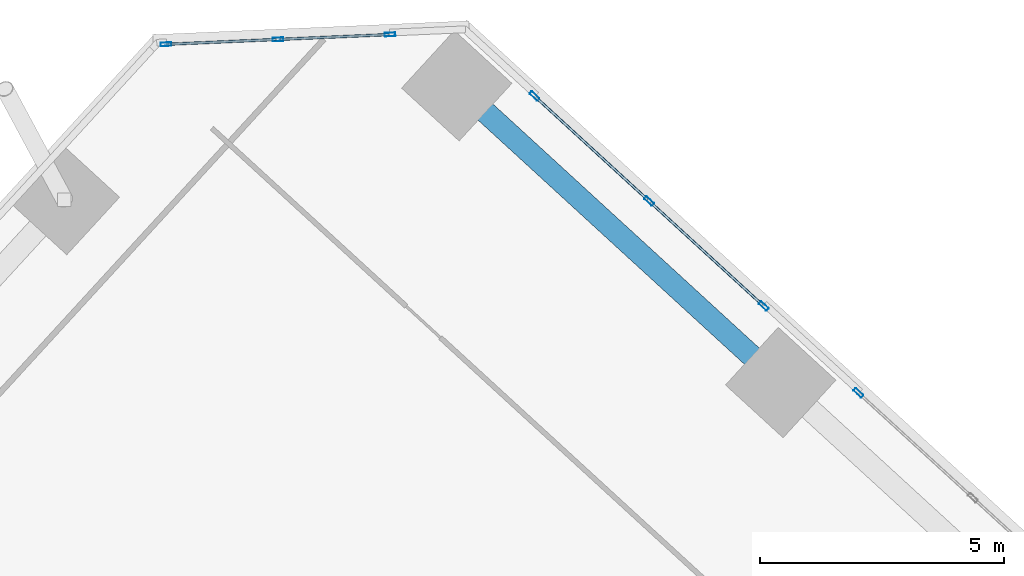
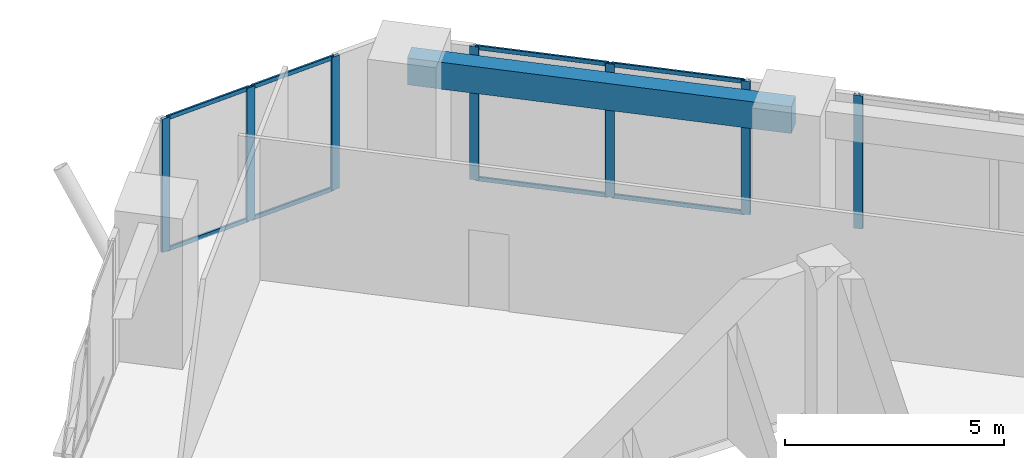
# One storey, part 10 of 18: 15 members, 1 beam, 3 elements without a shape of their own.
"""IFC4 building model written with IfcOpenShell, lengths in metres."""

from ifc_helpers import new_model, si_unit, direction, frame, origin, origin_2d, place, context, subcontext, project, spatial, rectangle, hollow_rectangle, extrude, source, transform, mapped, material, material_profile, profile_set, type_object, element, aggregate, save


model = new_model("IFC4")

# Units and contexts
model_context = context("Model", 3, precision=1e-05, world=origin(), true_north=direction((0.0, 1.0)))
body_context = subcontext(model_context, "Body", "Model", "MODEL_VIEW")
ifc_project = project(units=[si_unit("LENGTHUNIT", "METRE"), si_unit("AREAUNIT", "SQUARE_METRE"), si_unit("VOLUMEUNIT", "CUBIC_METRE"), si_unit("PLANEANGLEUNIT", "RADIAN"), si_unit("MASSUNIT", "GRAM", prefix="KILO")], contexts=[model_context])

# Site, building, storey
site_placement = place(None, origin())
site = spatial("IfcSite", under=ifc_project, at=site_placement, CompositionType="ELEMENT")
building_placement = place(site_placement, origin())
building = spatial("IfcBuilding", under=site, at=building_placement, Name="Torre Montelarca", CompositionType="ELEMENT")
storey_placement = place(building_placement, frame((0.0, 0.0, 237.39990234375)))
storey = spatial("IfcBuildingStorey", under=building, at=storey_placement, Name="L53", CompositionType="ELEMENT", Elevation=237.39990234375)

# Beam
ifc_material_1 = material(Name="Concrete C55/67", Category="concrete")
ifc_material_profile_1 = material_profile(ifc_material_1, rectangle(XDim=0.449951171875, YDim=0.75, at=origin_2d()), Name="RCB450X750", Category="concrete")
ifc_profile_set_1 = profile_set([ifc_material_profile_1], Name="Concrete C55/67")
beam_type = type_object("IfcBeamType", Name="BM-SP-RC750-EXT", PredefinedType="SPANDREL", material=ifc_profile_set_1)
shared_shape_1 = source(origin(), body_context, "Body", "SweptSolid", [
    extrude(rectangle(XDim=0.449951171875, YDim=0.75, at=origin_2d()), origin(), (0.0, 0.0, 1.0), 9.0),
])
beam_placement = place(storey_placement, frame((22.519287109375, 51.614501953125, 3.585205078125), z_axis=(0.73727686361, -0.675590724023, 0.0), x_axis=(0.675590724023, 0.73727686361, 0.0)))
element("IfcBeam", 1, at=beam_placement, inside=storey, type_object=beam_type, Name="L53 Grid Girder X 9.0-18.0 at Y=47.1", PredefinedType="SPANDREL", context=body_context, shape_type="MappedRepresentation", body=[
    mapped(shared_shape_1, transform((0.0, 0.0, 0.0), scale=1.0)),
])

# Curtain wall, members
ifc_material_2 = material(Name="Insulated low-E laminated glass", Category="glass")
curtain_wall_type = type_object("IfcCurtainWallType", Name="CW-SYS-Z3", PredefinedType="USERDEFINED", material=ifc_material_2)
curtain_wall_1_placement = place(storey_placement, origin())
curtain_wall_1 = element("IfcCurtainWall", 2, at=curtain_wall_1_placement, inside=storey, type_object=curtain_wall_type, Name="L53 Curtain Wall Run CW-T3-L53-E08-B4", ObjectType="UNITISED GLAZING", PredefinedType="USERDEFINED")
ifc_material_3 = material(Name="Anodised aluminium AA 6063-T6", Category="aluminium")
ifc_material_profile_2 = material_profile(ifc_material_3, hollow_rectangle(XDim=0.054931640625, YDim=0.1201171875, WallThickness=0.00341796875, InnerFilletRadius=0.00341796875, OuterFilletRadius=0.007080078125, at=origin_2d()), Name="ALU55X120X3.5", Category="aluminium")
ifc_profile_set_2 = profile_set([ifc_material_profile_2], Name="Anodised aluminium AA 6063-T6")
member_type_1 = type_object("IfcMemberType", Name="CWT-ALU120", PredefinedType="USERDEFINED", material=ifc_profile_set_2)
shared_shape_2 = source(origin(), body_context, "Body", "SweptSolid", [
    extrude(hollow_rectangle(XDim=0.054931640625, YDim=0.1201171875, WallThickness=0.00341796875, InnerFilletRadius=0.00341796875, OuterFilletRadius=0.007080078125, at=origin_2d()), origin(), (0.0, 0.0, 1.0), 3.107421875),
])
member_1_placement = place(storey_placement, frame((26.430908203125, 49.278076171875, 0.027587890625), z_axis=(-0.737271534665, 0.675596539491, 0.0), x_axis=(-0.675596539491, -0.737271534665, 0.0)))
member_1 = element("IfcMember", 3, at=member_1_placement, type_object=member_type_1, Name="CW transom 2.1", ObjectType="TRANSOM", PredefinedType="USERDEFINED", context=body_context, shape_type="MappedRepresentation", body=[
    mapped(shared_shape_2, transform((0.0, 0.0, 0.0), scale=1.0)),
])
member_2_placement = place(storey_placement, frame((26.430908203125, 49.278076171875, 3.692626953125), z_axis=(-0.737271534665, 0.675596539491, 0.0), x_axis=(-0.675596539491, -0.737271534665, 0.0)))
member_2 = element("IfcMember", 4, at=member_2_placement, type_object=member_type_1, Name="CW transom 2.2", ObjectType="TRANSOM", PredefinedType="USERDEFINED", context=body_context, shape_type="MappedRepresentation", body=[
    mapped(shared_shape_2, transform((0.0, 0.0, 0.0), scale=1.0)),
])
shared_shape_3 = source(origin(), body_context, "Body", "SweptSolid", [
    extrude(hollow_rectangle(XDim=0.054931640625, YDim=0.1201171875, WallThickness=0.00341796875, InnerFilletRadius=0.00341796875, OuterFilletRadius=0.007080078125, at=origin_2d()), origin(), (0.0, 0.0, 1.0), 3.107666015625),
])
member_3_placement = place(storey_placement, frame((28.77734375, 47.128173828125, 0.027587890625), z_axis=(-0.737307391881, 0.675557406796, 0.0), x_axis=(-0.675557406796, -0.737307391881, 0.0)))
member_3 = element("IfcMember", 5, at=member_3_placement, type_object=member_type_1, Name="CW transom 1.1", ObjectType="TRANSOM", PredefinedType="USERDEFINED", context=body_context, shape_type="MappedRepresentation", body=[
    mapped(shared_shape_3, transform((0.0, 0.0, 0.0), scale=1.0)),
])
member_4_placement = place(storey_placement, frame((28.77734375, 47.128173828125, 3.692626953125), z_axis=(-0.737307391881, 0.675557406796, 0.0), x_axis=(-0.675557406796, -0.737307391881, 0.0)))
member_4 = element("IfcMember", 6, at=member_4_placement, type_object=member_type_1, Name="CW transom 1.2", ObjectType="TRANSOM", PredefinedType="USERDEFINED", context=body_context, shape_type="MappedRepresentation", body=[
    mapped(shared_shape_3, transform((0.0, 0.0, 0.0), scale=1.0)),
])

curtain_wall_2_placement = place(storey_placement, origin())
curtain_wall_2 = element("IfcCurtainWall", 7, at=curtain_wall_2_placement, inside=storey, type_object=curtain_wall_type, Name="L53 Curtain Wall Run CW-T3-L53-E09-B1", ObjectType="UNITISED GLAZING", PredefinedType="USERDEFINED")
shared_shape_4 = source(origin(), body_context, "Body", "SweptSolid", [
    extrude(hollow_rectangle(XDim=0.054931640625, YDim=0.1201171875, WallThickness=0.00341796875, InnerFilletRadius=0.00341796875, OuterFilletRadius=0.007080078125, at=origin_2d()), origin(), (0.0, 0.0, 1.0), 2.222900390625),
])
member_5_placement = place(storey_placement, frame((21.1171875, 52.661865234375, 0.027587890625), z_axis=(-0.999048891247, -0.043604046815, 0.0), x_axis=(0.043604046815, -0.999048891247, 0.0)))
member_5 = element("IfcMember", 8, at=member_5_placement, type_object=member_type_1, Name="CW transom 1.1", ObjectType="TRANSOM", PredefinedType="USERDEFINED", context=body_context, shape_type="MappedRepresentation", body=[
    mapped(shared_shape_4, transform((0.0, 0.0, 0.0), scale=1.0)),
])
member_6_placement = place(storey_placement, frame((21.1171875, 52.661865234375, 3.692626953125), z_axis=(-0.999048891247, -0.043604046815, 0.0), x_axis=(0.043604046815, -0.999048891247, 0.0)))
member_6 = element("IfcMember", 9, at=member_6_placement, type_object=member_type_1, Name="CW transom 1.2", ObjectType="TRANSOM", PredefinedType="USERDEFINED", context=body_context, shape_type="MappedRepresentation", body=[
    mapped(shared_shape_4, transform((0.0, 0.0, 0.0), scale=1.0)),
])
member_7_placement = place(storey_placement, frame((18.821533203125, 52.561767578125, 0.027587890625), z_axis=(-0.999048891247, -0.043604046815, 0.0), x_axis=(0.043604046815, -0.999048891247, 0.0)))
member_7 = element("IfcMember", 10, at=member_7_placement, type_object=member_type_1, Name="CW transom 2.1", ObjectType="TRANSOM", PredefinedType="USERDEFINED", context=body_context, shape_type="MappedRepresentation", body=[
    mapped(shared_shape_4, transform((0.0, 0.0, 0.0), scale=1.0)),
])
member_8_placement = place(storey_placement, frame((18.821533203125, 52.561767578125, 3.692626953125), z_axis=(-0.999048891247, -0.043604046815, 0.0), x_axis=(0.043604046815, -0.999048891247, 0.0)))
member_8 = element("IfcMember", 11, at=member_8_placement, type_object=member_type_1, Name="CW transom 2.2", ObjectType="TRANSOM", PredefinedType="USERDEFINED", context=body_context, shape_type="MappedRepresentation", body=[
    mapped(shared_shape_4, transform((0.0, 0.0, 0.0), scale=1.0)),
])

# Curtain wall, member
curtain_wall_3_placement = place(storey_placement, origin())
curtain_wall_3 = element("IfcCurtainWall", 12, at=curtain_wall_3_placement, inside=storey, type_object=curtain_wall_type, Name="L53 Curtain Wall Run CW-T3-L53-E08-B3", ObjectType="UNITISED GLAZING", PredefinedType="USERDEFINED")
ifc_material_profile_3 = material_profile(ifc_material_3, hollow_rectangle(XDim=0.074951171875, YDim=0.219970703125, WallThickness=0.0048828125, InnerFilletRadius=0.0048828125, OuterFilletRadius=0.010009765625, at=origin_2d()), Name="ALU75X220X5", Category="aluminium")
ifc_profile_set_3 = profile_set([ifc_material_profile_3], Name="Anodised aluminium AA 6063-T6")
member_type_2 = type_object("IfcMemberType", Name="CWM-ALU220", PredefinedType="MULLION", material=ifc_profile_set_3)
shared_shape_5 = source(origin(), body_context, "Body", "SweptSolid", [
    extrude(hollow_rectangle(XDim=0.074951171875, YDim=0.219970703125, WallThickness=0.0048828125, InnerFilletRadius=0.0048828125, OuterFilletRadius=0.010009765625, at=origin_2d()), origin(), (0.0, 0.0, 1.0), 3.72021484375),
])
member_9_placement = place(storey_placement, frame((30.74755859375, 45.322509765625, 0.0), z_axis=(0.0, 0.0, 1.0), x_axis=(-0.675595237064, -0.737272728138, 0.0)))
member_9 = element("IfcMember", 13, at=member_9_placement, type_object=member_type_2, Name="CW mullion 3", PredefinedType="MULLION", context=body_context, shape_type="MappedRepresentation", body=[
    mapped(shared_shape_5, transform((0.0, 0.0, 0.0), scale=1.0)),
])
aggregate(curtain_wall_3, [member_9])

# Member
member_10_placement = place(storey_placement, frame((28.804931640625, 47.102783203125, 0.0), z_axis=(0.0, 0.0, 1.0), x_axis=(-0.675587502621, -0.737279815472, 0.0)))
member_10 = element("IfcMember", 14, at=member_10_placement, type_object=member_type_2, Name="CW mullion 1", PredefinedType="MULLION", context=body_context, shape_type="MappedRepresentation", body=[
    mapped(shared_shape_5, transform((0.0, 0.0, 0.0), scale=1.0)),
])

member_11_placement = place(storey_placement, frame((26.45849609375, 49.252685546875, 0.0), z_axis=(0.0, 0.0, 1.0), x_axis=(-0.675587502621, -0.737279815472, 0.0)))
member_11 = element("IfcMember", 15, at=member_11_placement, type_object=member_type_2, Name="CW mullion 2", PredefinedType="MULLION", context=body_context, shape_type="MappedRepresentation", body=[
    mapped(shared_shape_5, transform((0.0, 0.0, 0.0), scale=1.0)),
])

member_12_placement = place(storey_placement, frame((24.112060546875, 51.40283203125, 0.0), z_axis=(0.0, 0.0, 1.0), x_axis=(-0.675587502621, -0.737279815472, 0.0)))
member_12 = element("IfcMember", 16, at=member_12_placement, type_object=member_type_2, Name="CW mullion 3", PredefinedType="MULLION", context=body_context, shape_type="MappedRepresentation", body=[
    mapped(shared_shape_5, transform((0.0, 0.0, 0.0), scale=1.0)),
])

aggregate(curtain_wall_1, [member_10, member_11, member_12, member_3, member_4, member_1, member_2])

member_13_placement = place(storey_placement, frame((21.154541015625, 52.66357421875, 0.0), z_axis=(0.0, 0.0, 1.0), x_axis=(0.043613761542, -0.999048467195, 0.0)))
member_13 = element("IfcMember", 17, at=member_13_placement, type_object=member_type_2, Name="CW mullion 1", PredefinedType="MULLION", context=body_context, shape_type="MappedRepresentation", body=[
    mapped(shared_shape_5, transform((0.0, 0.0, 0.0), scale=1.0)),
])

member_14_placement = place(storey_placement, frame((18.859130859375, 52.563232421875, 0.0), z_axis=(0.0, 0.0, 1.0), x_axis=(0.043613761542, -0.999048467195, 0.0)))
member_14 = element("IfcMember", 18, at=member_14_placement, type_object=member_type_2, Name="CW mullion 2", PredefinedType="MULLION", context=body_context, shape_type="MappedRepresentation", body=[
    mapped(shared_shape_5, transform((0.0, 0.0, 0.0), scale=1.0)),
])

member_15_placement = place(storey_placement, frame((16.5634765625, 52.463134765625, 0.0), z_axis=(0.0, 0.0, 1.0), x_axis=(0.043613761542, -0.999048467195, 0.0)))
member_15 = element("IfcMember", 19, at=member_15_placement, type_object=member_type_2, Name="CW mullion 3", PredefinedType="MULLION", context=body_context, shape_type="MappedRepresentation", body=[
    mapped(shared_shape_5, transform((0.0, 0.0, 0.0), scale=1.0)),
])

aggregate(curtain_wall_2, [member_13, member_14, member_15, member_5, member_6, member_7, member_8])

save(model, "model.ifc")
